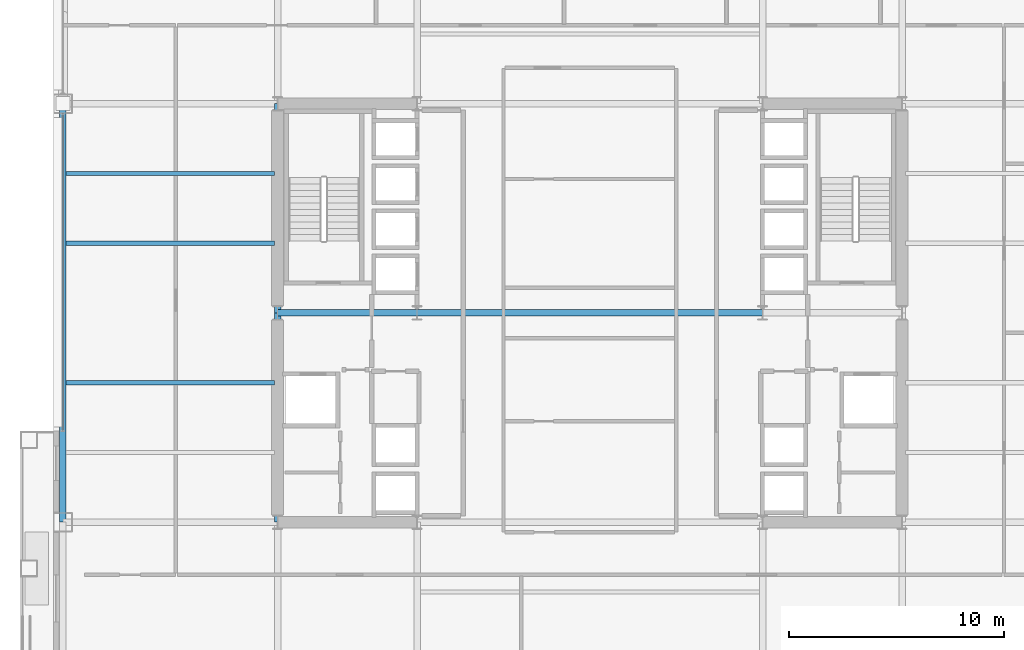
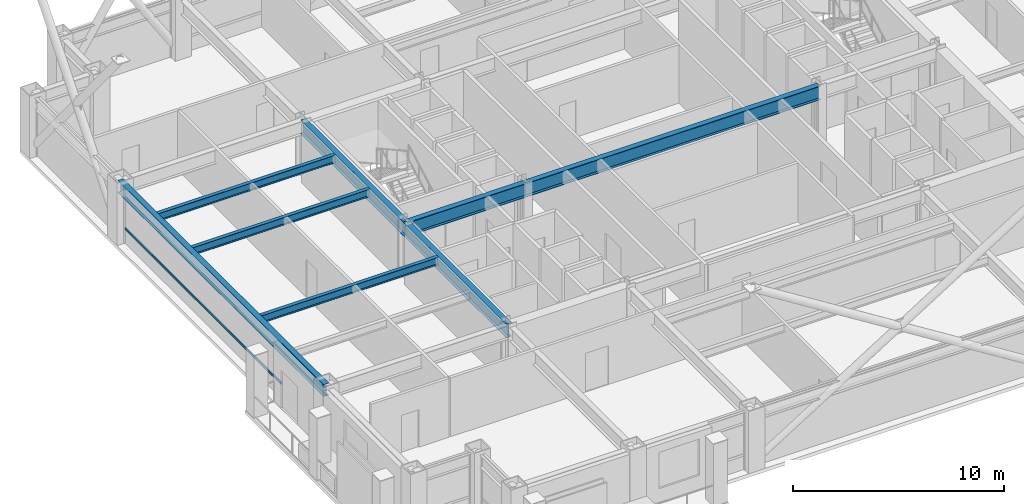
# One storey, part 8 of 29: 8 beams, 1 member, 1 element without a shape of its own.
"""IFC4 building model written with IfcOpenShell, lengths in metres."""

from ifc_helpers import new_model, si_unit, direction, frame, origin, origin_2d, place, context, subcontext, project, spatial, hollow_rectangle, i_section, extrude, material, layer, layer_set, material_profile, profile_set, type_object, element, aggregate, save


model = new_model("IFC4")

# Units and contexts
model_context = context("Model", 3, precision=1e-05, world=origin(), true_north=direction((0.0, 1.0)))
body_context = subcontext(model_context, "Body", "Model", "MODEL_VIEW")
ifc_project = project(units=[si_unit("LENGTHUNIT", "METRE"), si_unit("AREAUNIT", "SQUARE_METRE"), si_unit("VOLUMEUNIT", "CUBIC_METRE"), si_unit("PLANEANGLEUNIT", "RADIAN"), si_unit("MASSUNIT", "GRAM", prefix="KILO")], contexts=[model_context])

# Site, building, storey
site_placement = place(None, origin())
site = spatial("IfcSite", under=ifc_project, at=site_placement, CompositionType="ELEMENT")
building_placement = place(site_placement, origin())
building = spatial("IfcBuilding", under=site, at=building_placement, Name="Brelmoor Portico Tower", CompositionType="ELEMENT")
storey_placement = place(building_placement, frame((0.0, 0.0, 67.199951171875)))
storey = spatial("IfcBuildingStorey", under=building, at=storey_placement, Name="L17", CompositionType="ELEMENT", Elevation=67.199951171875)

# Beams
ifc_material_1 = material(Name="Steel Q355B", Category="steel")
ifc_material_profile_1 = material_profile(ifc_material_1, i_section(OverallWidth=0.199951171875, OverallDepth=0.449951171875, WebThickness=0.009033203125, FlangeThickness=0.013916015625, at=origin_2d()), Name="HN 450x200x9x14")
ifc_profile_set_1 = profile_set([ifc_material_profile_1], Name="Steel Q355B")
beam_type_1 = type_object("IfcBeamType", Name="BM-JS-450", PredefinedType="JOIST", material=ifc_profile_set_1)
for number, where, z_axis, x_axis, name in (
    (1, (-24.39990234375, -3.25, 3.175048828125), (1.0, 0.0, 0.0), (0.0, 1.0, 0.0), "L17 Secondary Wing Joist JS-W06"),
    (2, (-24.39990234375, 3.25, 3.175048828125), (1.0, 0.0, 0.0), (0.0, 1.0, 0.0), "L17 Secondary Wing Joist JS-W07"),
    (3, (-24.39990234375, 6.5, 3.175048828125), (1.0, 0.0, 0.0), (0.0, 1.0, 0.0), "L17 Secondary Wing Joist JS-W08"),
):
    element("IfcBeam", number, at=place(storey_placement, frame(where, z_axis=z_axis, x_axis=x_axis)), inside=storey, type_object=beam_type_1, Name=name, PredefinedType="JOIST", context=body_context, shape_type="SweptSolid", body=[
        extrude(i_section(OverallWidth=0.199951171875, OverallDepth=0.449951171875, WebThickness=0.009033203125, FlangeThickness=0.013916015625, at=origin_2d()), origin(), (0.0, 0.0, 1.0), 9.699951171875),
    ])
ifc_material_profile_2 = material_profile(ifc_material_1, i_section(OverallWidth=0.300048828125, OverallDepth=0.800048828125, WebThickness=0.013916015625, FlangeThickness=0.02587890625, at=origin_2d()), Name="HN 800x300x14x26")
ifc_profile_set_2 = profile_set([ifc_material_profile_2], Name="Steel Q355B")
beam_type_2 = type_object("IfcBeamType", Name="BM-PG-800", PredefinedType="BEAM", material=ifc_profile_set_2)
for number, where, z_axis, x_axis, name in (
    (4, (-14.550048828125, -9.75, 3.0), (0.0, 1.0, 0.0), (-1.0, 0.0, 0.0), "L17 Primary Floor Girder PG-04"),
    (5, (-14.550048828125, 0.0, 3.0), (0.0, 1.0, 0.0), (-1.0, 0.0, 0.0), "L17 Primary Floor Girder PG-05"),
):
    element("IfcBeam", number, at=place(storey_placement, frame(where, z_axis=z_axis, x_axis=x_axis)), inside=storey, type_object=beam_type_2, Name=name, PredefinedType="BEAM", context=body_context, shape_type="SweptSolid", body=[
        extrude(i_section(OverallWidth=0.300048828125, OverallDepth=0.800048828125, WebThickness=0.013916015625, FlangeThickness=0.02587890625, at=origin_2d()), origin(), (0.0, 0.0, 1.0), 9.75),
    ])
beam_1_placement = place(storey_placement, frame((-14.550048828125, 0.0, 3.0), z_axis=(1.0, 0.0, 0.0), x_axis=(0.0, 1.0, 0.0)))
element("IfcBeam", 6, at=beam_1_placement, inside=storey, type_object=beam_type_2, Name="L17 Primary Floor Girder PG-24", PredefinedType="BEAM", context=body_context, shape_type="SweptSolid", body=[
    extrude(i_section(OverallWidth=0.300048828125, OverallDepth=0.800048828125, WebThickness=0.013916015625, FlangeThickness=0.02587890625, at=origin_2d()), origin(), (0.0, 0.0, 1.0), 6.5),
])
beam_2_placement = place(storey_placement, frame((-8.050048828125, 0.0, 3.0), z_axis=(1.0, 0.0, 0.0), x_axis=(0.0, 1.0, 0.0)))
element("IfcBeam", 7, at=beam_2_placement, inside=storey, type_object=beam_type_2, Name="L17 Primary Floor Girder PG-25", PredefinedType="BEAM", context=body_context, shape_type="SweptSolid", body=[
    extrude(i_section(OverallWidth=0.300048828125, OverallDepth=0.800048828125, WebThickness=0.013916015625, FlangeThickness=0.02587890625, at=origin_2d()), origin(), (0.0, 0.0, 1.0), 16.10009765625),
])
ifc_material_profile_3 = material_profile(ifc_material_1, i_section(OverallWidth=0.300048828125, OverallDepth=0.699951171875, WebThickness=0.012939453125, FlangeThickness=0.02392578125, at=origin_2d()), Name="HN 700x300x13x24")
ifc_profile_set_3 = profile_set([ifc_material_profile_3], Name="Steel Q355B")
beam_type_3 = type_object("IfcBeamType", Name="BM-SP-700", PredefinedType="SPANDREL", material=ifc_profile_set_3)
beam_3_placement = place(storey_placement, frame((-24.550048828125, -9.75, 3.050048828125), z_axis=(0.0, 1.0, 0.0), x_axis=(-1.0, 0.0, 0.0)))
element("IfcBeam", 8, at=beam_3_placement, inside=storey, type_object=beam_type_3, Name="L17 Perimeter Spandrel Beam SP-16", PredefinedType="SPANDREL", context=body_context, shape_type="SweptSolid", body=[
    extrude(i_section(OverallWidth=0.300048828125, OverallDepth=0.699951171875, WebThickness=0.012939453125, FlangeThickness=0.02392578125, at=origin_2d()), origin(), (0.0, 0.0, 1.0), 19.5),
])

# Curtain wall, member
ifc_material_2 = material(Name="Anodised Aluminium Alloy 6063-T6", Category="aluminium")
ifc_layer = layer(ifc_material_2, 0.179931640625)
ifc_layer_set = layer_set([ifc_layer], Name="Anodised Aluminium Alloy 6063-T6")
curtain_wall_type = type_object("IfcCurtainWallType", Name="CW-TOWER-Z1", PredefinedType="NOTDEFINED", material=ifc_layer_set)
curtain_wall_placement = place(storey_placement, origin())
curtain_wall = element("IfcCurtainWall", 9, at=curtain_wall_placement, inside=storey, type_object=curtain_wall_type, Name="L17 Curtain Wall CW-L17-3R-1", PredefinedType="NOTDEFINED")
ifc_material_profile_4 = material_profile(ifc_material_2, hollow_rectangle(XDim=0.06494140625, YDim=0.139892578125, WallThickness=0.00390625, at=origin_2d()), Name="ALU TRANSOM 65x140")
ifc_profile_set_4 = profile_set([ifc_material_profile_4], Name="Anodised Aluminium Alloy 6063-T6")
member_type = type_object("IfcMemberType", Name="MB-CW-TRAN-140", PredefinedType="USERDEFINED", material=ifc_profile_set_4)
member_placement = place(storey_placement, frame((-24.550048828125, -5.5, 0.85009765625), z_axis=(0.0, 1.0, 0.0), x_axis=(-1.0, 0.0, 0.0)))
member = element("IfcMember", 10, at=member_placement, type_object=member_type, Name="CW-L17-3R-1 Transom 1-00", ObjectType="TRANSOM", PredefinedType="USERDEFINED", context=body_context, shape_type="SweptSolid", body=[
    extrude(hollow_rectangle(XDim=0.06494140625, YDim=0.139892578125, WallThickness=0.00390625, at=origin_2d()), origin(), (0.0, 0.0, 1.0), 14.7900390625),
])
aggregate(curtain_wall, [member])

save(model, "model.ifc")
